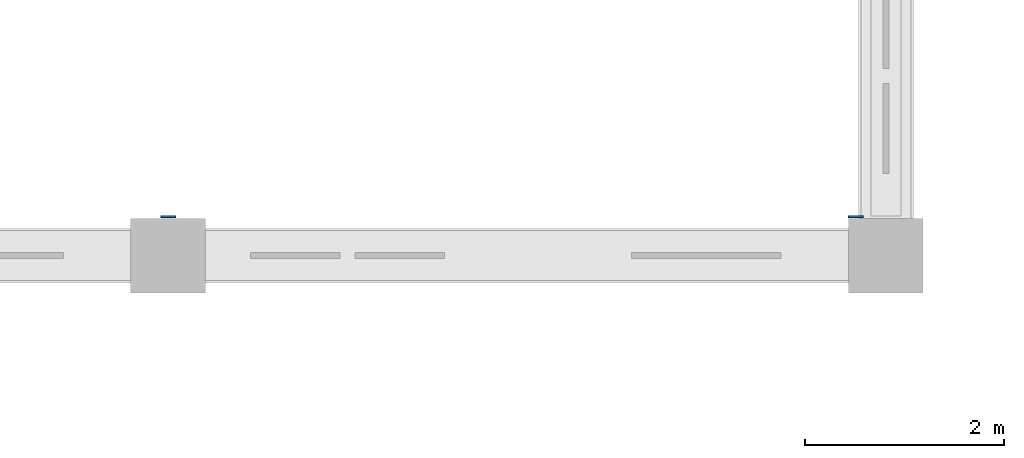
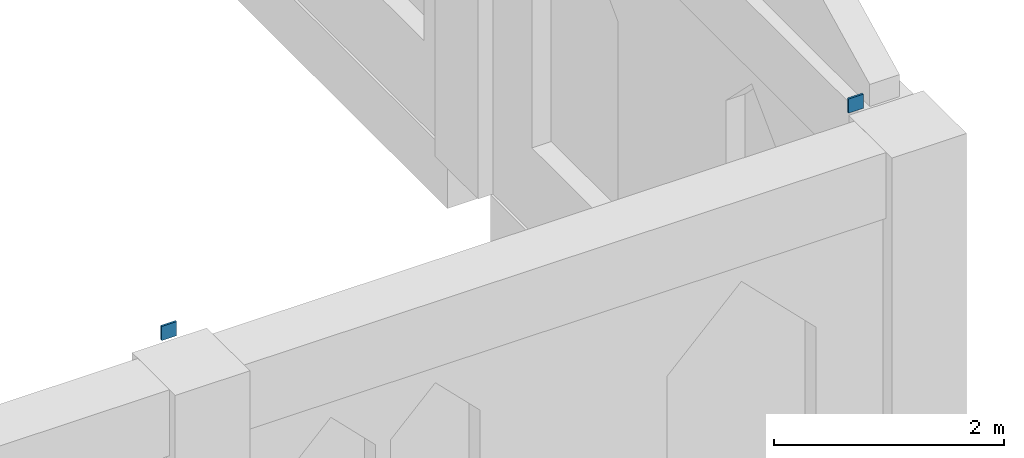
# One storey, part 27 of 31: 2 discrete accessories.
"""IFC4 building model written with IfcOpenShell, lengths in metres."""

from ifc_helpers import new_model, si_unit, direction, frame, origin, origin_2d, place, context, subcontext, project, spatial, rectangle, extrude, material, element, save


model = new_model("IFC4")

# Units and contexts
model_context = context("Model", 3, precision=1e-05, world=origin(), true_north=direction((0.0, 1.0)))
body_context = subcontext(model_context, "Body", "Model", "MODEL_VIEW")
ifc_project = project(units=[si_unit("LENGTHUNIT", "METRE"), si_unit("AREAUNIT", "SQUARE_METRE"), si_unit("VOLUMEUNIT", "CUBIC_METRE"), si_unit("PLANEANGLEUNIT", "RADIAN"), si_unit("MASSUNIT", "GRAM", prefix="KILO")], contexts=[model_context])

# Site, building, storey
site_placement = place(None, origin())
site = spatial("IfcSite", under=ifc_project, at=site_placement, CompositionType="ELEMENT")
building_placement = place(site_placement, origin())
building = spatial("IfcBuilding", under=site, at=building_placement, Name="Silangan Lancet Faculty of Sciences", CompositionType="ELEMENT")
storey_placement = place(building_placement, frame((0.0, 0.0, 36.0)))
storey = spatial("IfcBuildingStorey", under=building, at=storey_placement, Name="L07", CompositionType="ELEMENT", Elevation=36.0)

# Discrete accessories
ifc_material = material(Name="Steel STKR400", Category="steel")
for number, where, z_axis, x_axis, name in (
    (1, (43.199951171875, 21.989990234375, 4.820068359375), (0.0, 0.0, 1.0), (1.0, 0.0, 0.0), "Truss 7 bottom chord cap"),
    (2, (50.10009765625, 21.989990234375, 4.820068359375), (0.0, 0.0, 1.0), (1.0, 0.0, 0.0), "Truss 8 bottom chord cap"),
):
    element("IfcDiscreteAccessory", number, at=place(storey_placement, frame(where, z_axis=z_axis, x_axis=x_axis)), inside=storey, material=ifc_material, Name=name, ObjectType="END CAP", PredefinedType="USERDEFINED", context=body_context, shape_type="SweptSolid", body=[
        extrude(rectangle(XDim=0.14990234375, YDim=0.02001953125, at=origin_2d()), origin(), (0.0, 0.0, 1.0), 0.14990234375),
    ])

save(model, "model.ifc")
